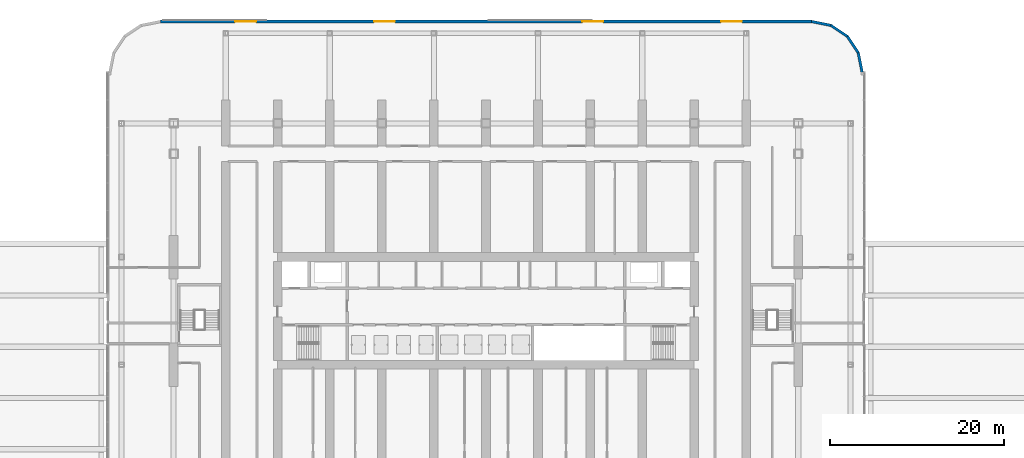
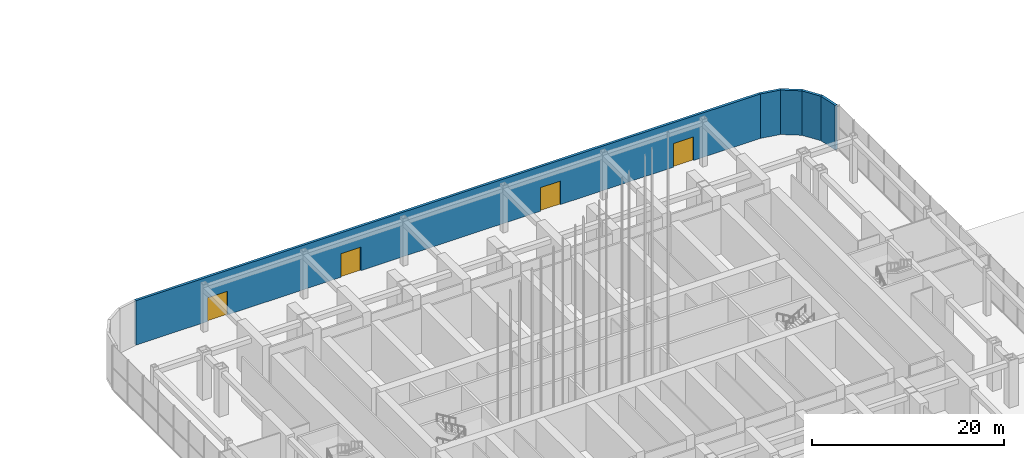
# One storey, part 22 of 57: 5 walls, 4 doors, 4 openings.
"""IFC4 building model written with IfcOpenShell, lengths in metres."""

from ifc_helpers import new_model, si_unit, direction, frame, frame_2d, origin, place, context, subcontext, project, spatial, polyline, rectangle, outline, extrude, material, layer, layer_set, type_object, element, fill, save


model = new_model("IFC4")

# Units and contexts
model_context = context("Model", 3, precision=1e-05, world=origin(), true_north=direction((0.0, 1.0)))
body_context = subcontext(model_context, "Body", "Model", "MODEL_VIEW")
ifc_project = project(units=[si_unit("LENGTHUNIT", "METRE"), si_unit("AREAUNIT", "SQUARE_METRE"), si_unit("VOLUMEUNIT", "CUBIC_METRE"), si_unit("PLANEANGLEUNIT", "RADIAN"), si_unit("MASSUNIT", "GRAM", prefix="KILO")], contexts=[model_context])

# Site, building, storey
site_placement = place(None, origin())
site = spatial("IfcSite", under=ifc_project, at=site_placement, CompositionType="ELEMENT")
building_placement = place(site_placement, origin())
building = spatial("IfcBuilding", under=site, at=building_placement, Name="Orbita Commons", CompositionType="ELEMENT")
storey_placement = place(building_placement, origin())
storey = spatial("IfcBuildingStorey", under=building, at=storey_placement, Name="L00", CompositionType="ELEMENT", Elevation=0.0)

# Wall, openings, doors
ifc_material_1 = material(Name="Precast concrete C40/50, white board-marked finish", Category="concrete")
ifc_layer = layer(ifc_material_1, 0.300048828125)
ifc_layer_set = layer_set([ifc_layer], Name="Precast concrete C40/50, white board-marked finish")
wall_type = type_object("IfcWallType", Name="Precast concrete end shield 300", PredefinedType="SOLIDWALL", material=ifc_layer_set)
wall_1_placement = place(storey_placement, frame((79.5, 65.35009765625, 0.0), z_axis=(0.0, 0.0, 1.0), x_axis=(-1.0, 0.0, 0.0)))
wall_1 = element("IfcWall", 1, at=wall_1_placement, inside=storey, type_object=wall_type, Name="Podium north wall L00", PredefinedType="SOLIDWALL", context=body_context, shape_type="SweptSolid", body=[
    extrude(rectangle(XDim=75.0, YDim=0.300048828125, at=frame_2d((37.5, 0.0))), origin(), (0.0, 0.0, 1.0), 5.64990234375),
])
opening_1_placement = place(wall_1_placement, frame((8.0, 0.0, 0.0)))
opening_1 = element("IfcOpeningElement", 2, at=opening_1_placement, cuts=wall_1, Name="Opening D92", PredefinedType="OPENING", context=body_context, shape_type="SweptSolid", body=[
    extrude(rectangle(XDim=2.39990234375, YDim=3.0, at=frame_2d((1.199951171875, 1.5))), frame((0.0, 0.159912109375, 0.0), z_axis=(0.0, -1.0, 0.0), x_axis=(1.0, 0.0, 0.0)), (0.0, 0.0, 1.0), 0.320068359375),
])
opening_2_placement = place(wall_1_placement, frame((24.0, 0.0, 0.0)))
opening_2 = element("IfcOpeningElement", 3, at=opening_2_placement, cuts=wall_1, Name="Opening D92", PredefinedType="OPENING", context=body_context, shape_type="SweptSolid", body=[
    extrude(rectangle(XDim=2.39990234375, YDim=3.0, at=frame_2d((1.199951171875, 1.5))), frame((0.0, 0.159912109375, 0.0), z_axis=(0.0, -1.0, 0.0), x_axis=(1.0, 0.0, 0.0)), (0.0, 0.0, 1.0), 0.320068359375),
])
opening_3_placement = place(wall_1_placement, frame((48.0, 0.0, 0.0)))
opening_3 = element("IfcOpeningElement", 4, at=opening_3_placement, cuts=wall_1, Name="Opening D92", PredefinedType="OPENING", context=body_context, shape_type="SweptSolid", body=[
    extrude(rectangle(XDim=2.39990234375, YDim=3.0, at=frame_2d((1.199951171875, 1.5))), frame((0.0, 0.159912109375, 0.0), z_axis=(0.0, -1.0, 0.0), x_axis=(1.0, 0.0, 0.0)), (0.0, 0.0, 1.0), 0.320068359375),
])
opening_4_placement = place(wall_1_placement, frame((64.0, 0.0, 0.0)))
opening_4 = element("IfcOpeningElement", 5, at=opening_4_placement, cuts=wall_1, Name="Opening D92", PredefinedType="OPENING", context=body_context, shape_type="SweptSolid", body=[
    extrude(rectangle(XDim=2.39990234375, YDim=3.0, at=frame_2d((1.199951171875, 1.5))), frame((0.0, 0.159912109375, 0.0), z_axis=(0.0, -1.0, 0.0), x_axis=(1.0, 0.0, 0.0)), (0.0, 0.0, 1.0), 0.320068359375),
])
ifc_material_2 = material(Name="Steel-faced door leaf", Category="steel")
door_type = type_object("IfcDoorType", Name="Service door pair 2400x3000", OperationType="DOUBLE_DOOR_SINGLE_SWING", PredefinedType="DOOR", material=ifc_material_2)
door_1_placement = place(opening_1_placement, origin())
door_1 = element("IfcDoor", 6, at=door_1_placement, inside=storey, type_object=door_type, Name="Service doors north 1", OperationType="DOUBLE_DOOR_SINGLE_SWING", OverallHeight=3.0, OverallWidth=2.39990234375, PredefinedType="DOOR", context=body_context, shape_type="SweptSolid", body=[
    extrude(rectangle(XDim=2.39990234375, YDim=3.0, at=frame_2d((1.199951171875, 1.5))), frame((0.0, 0.02490234375, 0.0), z_axis=(0.0, -1.0, 0.0), x_axis=(1.0, 0.0, 0.0)), (0.0, 0.0, 1.0), 0.050048828125),
])
fill(opening_1, door_1)
door_2_placement = place(opening_2_placement, origin())
door_2 = element("IfcDoor", 7, at=door_2_placement, inside=storey, type_object=door_type, Name="Service doors north 2", OperationType="DOUBLE_DOOR_SINGLE_SWING", OverallHeight=3.0, OverallWidth=2.39990234375, PredefinedType="DOOR", context=body_context, shape_type="SweptSolid", body=[
    extrude(rectangle(XDim=2.39990234375, YDim=3.0, at=frame_2d((1.199951171875, 1.5))), frame((0.0, 0.02490234375, 0.0), z_axis=(0.0, -1.0, 0.0), x_axis=(1.0, 0.0, 0.0)), (0.0, 0.0, 1.0), 0.050048828125),
])
fill(opening_2, door_2)
door_3_placement = place(opening_3_placement, origin())
door_3 = element("IfcDoor", 8, at=door_3_placement, inside=storey, type_object=door_type, Name="Service doors north 3", OperationType="DOUBLE_DOOR_SINGLE_SWING", OverallHeight=3.0, OverallWidth=2.39990234375, PredefinedType="DOOR", context=body_context, shape_type="SweptSolid", body=[
    extrude(rectangle(XDim=2.39990234375, YDim=3.0, at=frame_2d((1.199951171875, 1.5))), frame((0.0, 0.02490234375, 0.0), z_axis=(0.0, -1.0, 0.0), x_axis=(1.0, 0.0, 0.0)), (0.0, 0.0, 1.0), 0.050048828125),
])
fill(opening_3, door_3)
door_4_placement = place(opening_4_placement, origin())
door_4 = element("IfcDoor", 9, at=door_4_placement, inside=storey, type_object=door_type, Name="Service doors north 4", OperationType="DOUBLE_DOOR_SINGLE_SWING", OverallHeight=3.0, OverallWidth=2.39990234375, PredefinedType="DOOR", context=body_context, shape_type="SweptSolid", body=[
    extrude(rectangle(XDim=2.39990234375, YDim=3.0, at=frame_2d((1.199951171875, 1.5))), frame((0.0, 0.02490234375, 0.0), z_axis=(0.0, -1.0, 0.0), x_axis=(1.0, 0.0, 0.0)), (0.0, 0.0, 1.0), 0.050048828125),
])
fill(opening_4, door_4)

# Walls
wall_2_placement = place(storey_placement, frame((85.35009765625, 59.5, 0.0), z_axis=(0.0, 0.0, 1.0), x_axis=(-0.195087604935, 0.98078582086, 0.0)))
element("IfcWall", 10, at=wall_2_placement, inside=storey, type_object=wall_type, Name="Podium corner wall NE 1 L00", PredefinedType="SOLIDWALL", context=body_context, shape_type="SweptSolid", body=[
    extrude(outline(polyline([(-0.014892578125, -0.14990234375), (2.3125, -0.14990234375), (2.2529296875, 0.14990234375), (0.014892578125, 0.14990234375), (-0.014892578125, -0.14990234375)])), origin(), (0.0, 0.0, 1.0), 5.64990234375),
])
for number, where, z_axis, x_axis, name in (
    (11, (84.90478515625, 61.73876953125, 0.0), (0.0, 0.0, 1.0), (-0.555539121903, 0.831490399244, 0.0), "Podium corner wall NE 2 L00"),
    (12, (83.63671875, 63.63671875, 0.0), (0.0, 0.0, 1.0), (-0.831490399244, 0.555539121903, 0.0), "Podium corner wall NE 3 L00"),
):
    element("IfcWall", number, at=place(storey_placement, frame(where, z_axis=z_axis, x_axis=x_axis)), inside=storey, type_object=wall_type, Name=name, PredefinedType="SOLIDWALL", context=body_context, shape_type="SweptSolid", body=[
        extrude(outline(polyline([(-0.02978515625, -0.14990234375), (2.312255859375, -0.14990234375), (2.252685546875, 0.14990234375), (0.02978515625, 0.14990234375), (-0.02978515625, -0.14990234375)])), origin(), (0.0, 0.0, 1.0), 5.64990234375),
    ])
wall_3_placement = place(storey_placement, frame((81.73876953125, 64.90478515625, 0.0), z_axis=(0.0, 0.0, 1.0), x_axis=(-0.98078582086, 0.195087604935, 0.0)))
element("IfcWall", 13, at=wall_3_placement, inside=storey, type_object=wall_type, Name="Podium corner wall NE 4 L00", PredefinedType="SOLIDWALL", context=body_context, shape_type="SweptSolid", body=[
    extrude(outline(polyline([(-0.02978515625, -0.14990234375), (2.3125, -0.14990234375), (2.2529296875, 0.14990234375), (0.02978515625, 0.14990234375), (-0.02978515625, -0.14990234375)])), origin(), (0.0, 0.0, 1.0), 5.64990234375),
])

save(model, "model.ifc")
